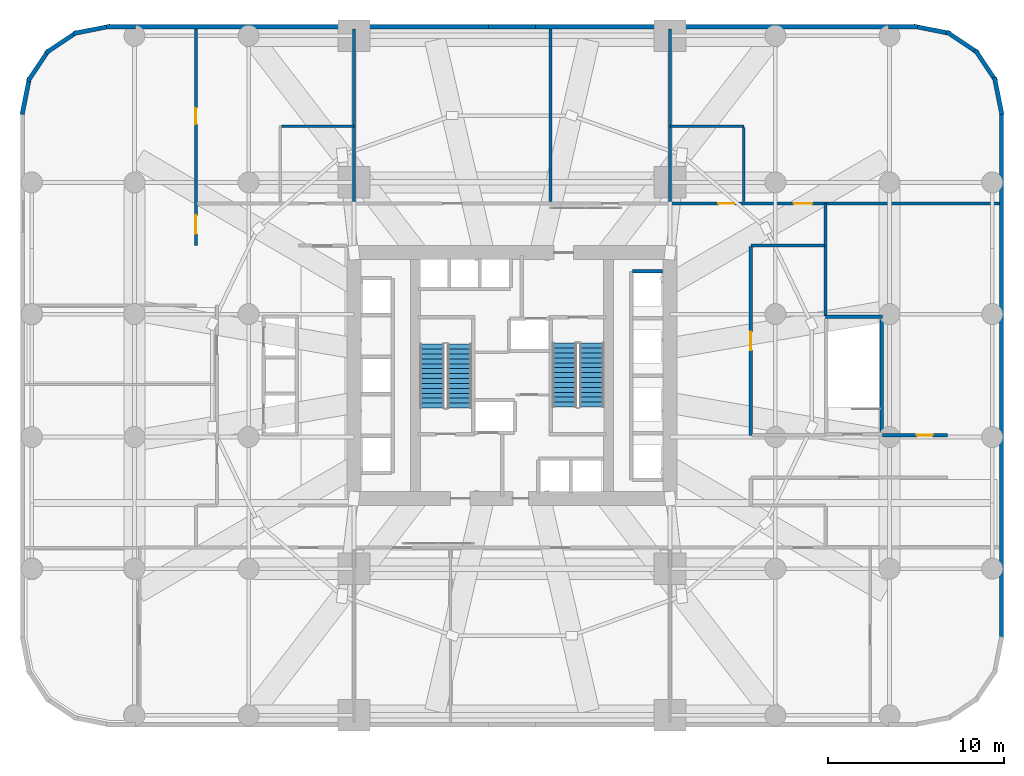
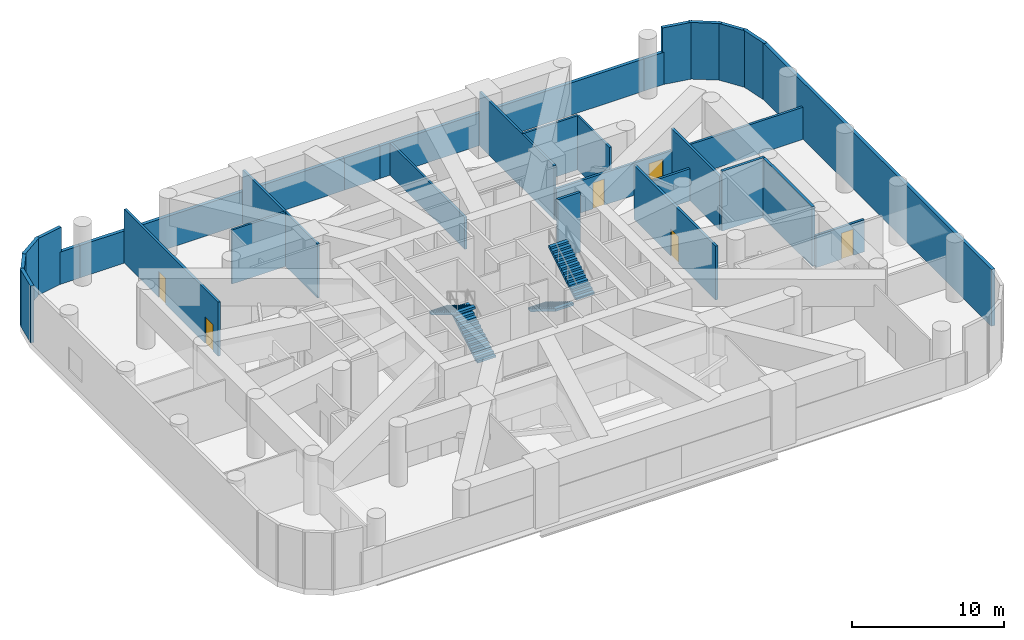
# One storey, part 8 of 10: 29 walls, 6 doors, 4 stair flights, 6 openings, 2 elements without a shape of their own.
"""IFC4 building model written with IfcOpenShell, lengths in metres."""

from ifc_helpers import new_model, si_unit, direction, frame, frame_2d, origin, place, context, subcontext, project, spatial, polyline, rectangle, outline, extrude, material, layer, layer_set, type_object, element, fill, aggregate, save


model = new_model("IFC4")

# Units and contexts
model_context = context("Model", 3, precision=1e-05, world=origin(), true_north=direction((0.0, 1.0)))
body_context = subcontext(model_context, "Body", "Model", "MODEL_VIEW")
ifc_project = project(units=[si_unit("LENGTHUNIT", "METRE"), si_unit("AREAUNIT", "SQUARE_METRE"), si_unit("VOLUMEUNIT", "CUBIC_METRE"), si_unit("PLANEANGLEUNIT", "RADIAN"), si_unit("MASSUNIT", "GRAM", prefix="KILO")], contexts=[model_context])

# Site, building, storey
site_placement = place(None, origin())
site = spatial("IfcSite", under=ifc_project, at=site_placement, CompositionType="ELEMENT")
building_placement = place(site_placement, origin())
building = spatial("IfcBuilding", under=site, at=building_placement, Name="Veldorim Arch Residences", CompositionType="ELEMENT")
storey_placement = place(building_placement, frame((0.0, 0.0, 20.0)))
storey = spatial("IfcBuildingStorey", under=building, at=storey_placement, Name="L05", CompositionType="ELEMENT", Elevation=20.0)

# Wall, openings, doors
ifc_material_1 = material(Name="Lightweight Masonry Block & Gypsum", Category="masonry")
ifc_layer_1 = layer(ifc_material_1, 0.179931640625, Name="Compartment & Corridor Fire-Rated Party Wall 180")
ifc_layer_set_1 = layer_set([ifc_layer_1], Name="Lightweight Masonry Block & Gypsum")
wall_type_1 = type_object("IfcWallType", Name="Compartment & Corridor Fire-Rated Party Wall 180", PredefinedType="PARTITIONING", material=ifc_layer_set_1)
wall_1_placement = place(storey_placement, frame((14.0, 31.39990234375, 0.0), z_axis=(0.0, 0.0, 1.0), x_axis=(0.0, 1.0, 0.0)))
wall_1 = element("IfcWall", 1, at=wall_1_placement, inside=storey, type_object=wall_type_1, Name="L05 interior wall WL-POD-L05-005", PredefinedType="PARTITIONING", context=body_context, shape_type="SweptSolid", body=[
    extrude(rectangle(XDim=12.35009765625, YDim=0.179931640625, at=frame_2d((6.175048828125, 0.0))), origin(), (0.0, 0.0, 1.0), 4.344970703125),
])
opening_1_placement = place(wall_1_placement, frame((0.675048828125, 0.0, 0.0)))
opening_1 = element("IfcOpeningElement", 2, at=opening_1_placement, cuts=wall_1, Name="Opening DR-CLN", PredefinedType="OPENING", context=body_context, shape_type="SweptSolid", body=[
    extrude(rectangle(XDim=1.050048828125, YDim=2.14990234375, at=frame_2d((0.52490234375, 1.074951171875))), frame((0.0, 0.099853515625, 0.0), z_axis=(0.0, -1.0, 0.0), x_axis=(1.0, 0.0, 0.0)), (0.0, 0.0, 1.0), 0.199951171875),
])
opening_2_placement = place(wall_1_placement, frame((6.925048828125, 0.0, 0.0)))
opening_2 = element("IfcOpeningElement", 3, at=opening_2_placement, cuts=wall_1, Name="Opening DR-SVC", PredefinedType="OPENING", context=body_context, shape_type="SweptSolid", body=[
    extrude(rectangle(XDim=0.89990234375, YDim=2.10009765625, at=frame_2d((0.449951171875, 1.050048828125))), frame((0.0, 0.099853515625, 0.0), z_axis=(0.0, -1.0, 0.0), x_axis=(1.0, 0.0, 0.0)), (0.0, 0.0, 1.0), 0.199951171875),
])
ifc_material_2 = material(Name="Timber & Vision Panel", Category="wood")
door_type_1 = type_object("IfcDoorType", Name="Polyclinic Wheelchair-Accessible Consultation Door 1050x2150", OperationType="SINGLE_SWING_LEFT", PredefinedType="DOOR", material=ifc_material_2)
door_1_placement = place(opening_1_placement, origin())
door_1 = element("IfcDoor", 4, at=door_1_placement, inside=storey, type_object=door_type_1, Name="L05 interior door DR-POD-L05-005", OperationType="SINGLE_SWING_LEFT", OverallHeight=2.14990234375, OverallWidth=1.050048828125, PredefinedType="DOOR", context=body_context, shape_type="SweptSolid", body=[
    extrude(rectangle(XDim=1.050048828125, YDim=2.14990234375, at=frame_2d((0.52490234375, 1.074951171875))), frame((0.0, 0.02490234375, 0.0), z_axis=(0.0, -1.0, 0.0), x_axis=(1.0, 0.0, 0.0)), (0.0, 0.0, 1.0), 0.050048828125),
])
fill(opening_1, door_1)
ifc_material_3 = material(Name="Fire-Rated Steel", Category="steel")
door_type_2 = type_object("IfcDoorType", Name="Riser, Shelter & Plant Room Rated Steel Door 900x2100", OperationType="SINGLE_SWING_LEFT", PredefinedType="DOOR", material=ifc_material_3)
door_2_placement = place(opening_2_placement, origin())
door_2 = element("IfcDoor", 5, at=door_2_placement, inside=storey, type_object=door_type_2, Name="L05 interior door DR-POD-L05-007", OperationType="SINGLE_SWING_LEFT", OverallHeight=2.10009765625, OverallWidth=0.89990234375, PredefinedType="DOOR", context=body_context, shape_type="SweptSolid", body=[
    extrude(rectangle(XDim=0.89990234375, YDim=2.10009765625, at=frame_2d((0.449951171875, 1.050048828125))), frame((0.0, 0.02490234375, 0.0), z_axis=(0.0, -1.0, 0.0), x_axis=(1.0, 0.0, 0.0)), (0.0, 0.0, 1.0), 0.050048828125),
])
fill(opening_2, door_2)

# Wall
wall_2_placement = place(storey_placement, frame((49.85009765625, 33.800048828125, 0.0), z_axis=(0.0, 0.0, 1.0), x_axis=(0.0, -1.0, 0.0)))
element("IfcWall", 6, at=wall_2_placement, inside=storey, type_object=wall_type_1, Name="L05 interior wall WL-POD-L05-015", PredefinedType="PARTITIONING", context=body_context, shape_type="SweptSolid", body=[
    extrude(rectangle(XDim=6.400146484375, YDim=0.179931640625, at=frame_2d((3.2001953125, 0.0))), origin(), (0.0, 0.0, 1.0), 4.344970703125),
])

# Wall, opening, door
wall_3_placement = place(storey_placement, frame((53.10009765625, 20.60009765625, 0.0), z_axis=(0.0, 0.0, 1.0), x_axis=(1.0, 0.0, 0.0)))
wall_3 = element("IfcWall", 7, at=wall_3_placement, inside=storey, type_object=wall_type_1, Name="L05 interior wall WL-POD-L05-016", PredefinedType="PARTITIONING", context=body_context, shape_type="SweptSolid", body=[
    extrude(rectangle(XDim=3.699951171875, YDim=0.179931640625, at=frame_2d((1.85009765625, 0.0))), origin(), (0.0, 0.0, 1.0), 2.587890625),
])
opening_3_placement = place(wall_3_placement, frame((1.9599609375, 0.0, 0.0)))
opening_3 = element("IfcOpeningElement", 8, at=opening_3_placement, cuts=wall_3, Name="Opening DR-SVC", PredefinedType="OPENING", context=body_context, shape_type="SweptSolid", body=[
    extrude(rectangle(XDim=0.89990234375, YDim=2.10009765625, at=frame_2d((0.449951171875, 1.050048828125))), frame((0.0, 0.099853515625, 0.0), z_axis=(0.0, -1.0, 0.0), x_axis=(1.0, 0.0, 0.0)), (0.0, 0.0, 1.0), 0.199951171875),
])
door_3_placement = place(opening_3_placement, origin())
door_3 = element("IfcDoor", 9, at=door_3_placement, inside=storey, type_object=door_type_2, Name="L05 interior door DR-POD-L05-012", OperationType="SINGLE_SWING_RIGHT", OverallHeight=2.10009765625, OverallWidth=0.89990234375, PredefinedType="DOOR", context=body_context, shape_type="SweptSolid", body=[
    extrude(rectangle(XDim=0.89990234375, YDim=2.10009765625, at=frame_2d((0.449951171875, 1.050048828125))), frame((0.0, 0.02490234375, 0.0), z_axis=(0.0, -1.0, 0.0), x_axis=(1.0, 0.0, 0.0)), (0.0, 0.0, 1.0), 0.050048828125),
])
fill(opening_3, door_3)

# Wall
wall_4_placement = place(storey_placement, frame((49.7900390625, 31.39990234375, 0.0), z_axis=(0.0, 0.0, 1.0), x_axis=(-1.0, 0.0, 0.0)))
element("IfcWall", 10, at=wall_4_placement, inside=storey, type_object=wall_type_1, Name="L05 interior wall WL-POD-L05-017", PredefinedType="PARTITIONING", context=body_context, shape_type="SweptSolid", body=[
    extrude(rectangle(XDim=4.18994140625, YDim=0.179931640625, at=frame_2d((2.094970703125, 0.0))), origin(), (0.0, 0.0, 1.0), 2.587890625),
])

# Wall, opening, door
wall_5_placement = place(storey_placement, frame((45.60009765625, 31.340087890625, 0.0), z_axis=(0.0, 0.0, 1.0), x_axis=(0.0, -1.0, 0.0)))
wall_5 = element("IfcWall", 11, at=wall_5_placement, inside=storey, type_object=wall_type_1, Name="L05 interior wall WL-POD-L05-018", PredefinedType="PARTITIONING", context=body_context, shape_type="SweptSolid", body=[
    extrude(rectangle(XDim=10.739990234375, YDim=0.179931640625, at=frame_2d((5.3701171875, 0.0))), origin(), (0.0, 0.0, 1.0), 4.344970703125),
])
opening_4_placement = place(wall_5_placement, frame((4.844970703125, 0.0, 0.0)))
opening_4 = element("IfcOpeningElement", 12, at=opening_4_placement, cuts=wall_5, Name="Opening DR-CLN", PredefinedType="OPENING", context=body_context, shape_type="SweptSolid", body=[
    extrude(rectangle(XDim=1.050048828125, YDim=2.14990234375, at=frame_2d((0.52490234375, 1.074951171875))), frame((0.0, 0.099853515625, 0.0), z_axis=(0.0, -1.0, 0.0), x_axis=(1.0, 0.0, 0.0)), (0.0, 0.0, 1.0), 0.199951171875),
])
door_4_placement = place(opening_4_placement, origin())
door_4 = element("IfcDoor", 13, at=door_4_placement, inside=storey, type_object=door_type_1, Name="L05 interior door DR-POD-L05-013", OperationType="SINGLE_SWING_LEFT", OverallHeight=2.14990234375, OverallWidth=1.050048828125, PredefinedType="DOOR", context=body_context, shape_type="SweptSolid", body=[
    extrude(rectangle(XDim=1.050048828125, YDim=2.14990234375, at=frame_2d((0.52490234375, 1.074951171875))), frame((0.0, 0.02490234375, 0.0), z_axis=(0.0, -1.0, 0.0), x_axis=(1.0, 0.0, 0.0)), (0.0, 0.0, 1.0), 0.050048828125),
])
fill(opening_4, door_4)

# Wall, openings, doors
wall_6_placement = place(storey_placement, frame((40.97998046875, 33.800048828125, 0.0), z_axis=(0.0, 0.0, 1.0), x_axis=(1.0, 0.0, 0.0)))
wall_6 = element("IfcWall", 14, at=wall_6_placement, inside=storey, type_object=wall_type_1, Name="L05 interior wall WL-POD-L05-020", PredefinedType="PARTITIONING", context=body_context, shape_type="SweptSolid", body=[
    extrude(rectangle(XDim=18.77001953125, YDim=0.179931640625, at=frame_2d((9.385009765625, 0.0))), origin(), (0.0, 0.0, 1.0), 2.587890625),
])
opening_5_placement = place(wall_6_placement, frame((2.780029296875, 0.0, 0.0)))
opening_5 = element("IfcOpeningElement", 15, at=opening_5_placement, cuts=wall_6, Name="Opening DR-WC", PredefinedType="OPENING", context=body_context, shape_type="SweptSolid", body=[
    extrude(rectangle(XDim=0.89990234375, YDim=2.10009765625, at=frame_2d((0.449951171875, 1.050048828125))), frame((0.0, 0.099853515625, 0.0), z_axis=(0.0, -1.0, 0.0), x_axis=(1.0, 0.0, 0.0)), (0.0, 0.0, 1.0), 0.199951171875),
])
opening_6_placement = place(wall_6_placement, frame((7.06005859375, 0.0, 0.0)))
opening_6 = element("IfcOpeningElement", 16, at=opening_6_placement, cuts=wall_6, Name="Opening DR-CLN", PredefinedType="OPENING", context=body_context, shape_type="SweptSolid", body=[
    extrude(rectangle(XDim=1.050048828125, YDim=2.14990234375, at=frame_2d((0.52490234375, 1.074951171875))), frame((0.0, 0.099853515625, 0.0), z_axis=(0.0, -1.0, 0.0), x_axis=(1.0, 0.0, 0.0)), (0.0, 0.0, 1.0), 0.199951171875),
])
ifc_material_4 = material(Name="Laminate Timber", Category="wood")
door_type_3 = type_object("IfcDoorType", Name="Bathroom & Accessible WC Moisture-Sealed Door 900x2100", OperationType="SINGLE_SWING_LEFT", PredefinedType="DOOR", material=ifc_material_4)
door_5_placement = place(opening_5_placement, origin())
door_5 = element("IfcDoor", 17, at=door_5_placement, inside=storey, type_object=door_type_3, Name="L05 interior door DR-POD-L05-014", OperationType="SINGLE_SWING_RIGHT", OverallHeight=2.10009765625, OverallWidth=0.89990234375, PredefinedType="DOOR", context=body_context, shape_type="SweptSolid", body=[
    extrude(rectangle(XDim=0.89990234375, YDim=2.10009765625, at=frame_2d((0.449951171875, 1.050048828125))), frame((0.0, 0.02490234375, 0.0), z_axis=(0.0, -1.0, 0.0), x_axis=(1.0, 0.0, 0.0)), (0.0, 0.0, 1.0), 0.050048828125),
])
fill(opening_5, door_5)
door_6_placement = place(opening_6_placement, origin())
door_6 = element("IfcDoor", 18, at=door_6_placement, inside=storey, type_object=door_type_1, Name="L05 interior door DR-POD-L05-015", OperationType="SINGLE_SWING_LEFT", OverallHeight=2.14990234375, OverallWidth=1.050048828125, PredefinedType="DOOR", context=body_context, shape_type="SweptSolid", body=[
    extrude(rectangle(XDim=1.050048828125, YDim=2.14990234375, at=frame_2d((0.52490234375, 1.074951171875))), frame((0.0, 0.02490234375, 0.0), z_axis=(0.0, -1.0, 0.0), x_axis=(1.0, 0.0, 0.0)), (0.0, 0.0, 1.0), 0.050048828125),
])
fill(opening_6, door_6)

# Walls
ifc_material_5 = material(Name="Concrete C50/60", Category="concrete")
ifc_layer_2 = layer(ifc_material_5, 0.199951171875, Name="Core Stair & Lift Shaft Enclosure Wall 200")
ifc_layer_set_2 = layer_set([ifc_layer_2], Name="Concrete C50/60")
wall_type_2 = type_object("IfcWallType", Name="Core Stair & Lift Shaft Enclosure Wall 200", PredefinedType="SHEAR", material=ifc_layer_set_2)
wall_7_placement = place(storey_placement, frame((38.8701171875, 29.93994140625, 0.0), z_axis=(0.0, 0.0, 1.0), x_axis=(1.0, 0.0, 0.0)))
element("IfcWall", 19, at=wall_7_placement, inside=storey, type_object=wall_type_2, Name="L05 shaft wall WL-B1-L05-N", PredefinedType="SHEAR", context=body_context, shape_type="SweptSolid", body=[
    extrude(rectangle(XDim=1.7099609375, YDim=0.199951171875, at=frame_2d((0.85498046875, 0.0))), origin(), (0.0, 0.0, 1.0), 4.800048828125),
])
wall_8_placement = place(storey_placement, frame((53.06005859375, 20.760009765625, 0.0), z_axis=(0.0, 0.0, 1.0), x_axis=(0.0, 1.0, 0.0)))
element("IfcWall", 20, at=wall_8_placement, inside=storey, type_object=wall_type_2, Name="L05 shaft wall WL-SHF-L05-ST3-E", PredefinedType="SHEAR", context=body_context, shape_type="SweptSolid", body=[
    extrude(rectangle(XDim=6.47998046875, YDim=0.199951171875, at=frame_2d((3.239990234375, 0.0))), origin(), (0.0, 0.0, 1.0), 4.800048828125),
])
wall_9_placement = place(storey_placement, frame((49.85009765625, 27.35009765625, 0.0), z_axis=(0.0, 0.0, 1.0), x_axis=(1.0, 0.0, 0.0)))
element("IfcWall", 21, at=wall_9_placement, inside=storey, type_object=wall_type_2, Name="L05 shaft wall WL-SHF-L05-ST3-N", PredefinedType="SHEAR", context=body_context, shape_type="SweptSolid", body=[
    extrude(rectangle(XDim=3.260009765625, YDim=0.199951171875, at=frame_2d((1.6298828125, 0.0))), origin(), (0.0, 0.0, 1.0), 4.800048828125),
])
ifc_material_6 = material(Name="Precast concrete C40/50", Category="concrete")
ifc_layer_3 = layer(ifc_material_6, 0.25, Name="Podium Terracotta Insulated Facade Wall 250")
ifc_layer_set_3 = layer_set([ifc_layer_3], Name="Precast concrete C40/50")
wall_type_3 = type_object("IfcWallType", Name="Podium Terracotta Insulated Facade Wall 250", PredefinedType="SOLIDWALL", material=ifc_layer_set_3)
wall_10_placement = place(storey_placement, frame((59.875, 39.10009765625, 0.0), z_axis=(0.0, 0.0, 1.0), x_axis=(0.0, -1.0, 0.0)))
element("IfcWall", 22, at=wall_10_placement, inside=storey, type_object=wall_type_3, Name="L05 podium terracotta facade wall 04", PredefinedType="SOLIDWALL", context=body_context, shape_type="SweptSolid", body=[
    extrude(rectangle(XDim=30.2001953125, YDim=0.25, at=frame_2d((15.10009765625, 0.0))), origin(), (0.0, 0.0, 1.0), 4.56005859375),
])
wall_11_placement = place(storey_placement, frame((59.477294921875, 40.987060546875, 0.0), z_axis=(0.0, 0.0, 1.0), x_axis=(0.195111965738, -0.980780974951, 0.0)))
element("IfcWall", 23, at=wall_11_placement, inside=storey, type_object=wall_type_3, Name="L05 podium terracotta facade wall 05", PredefinedType="SOLIDWALL", context=body_context, shape_type="SweptSolid", body=[
    extrude(rectangle(XDim=2.15087890625, YDim=0.25, at=frame_2d((1.075439453125, 0.0))), origin(), (0.0, 0.0, 1.0), 4.56005859375),
])
for number, where, z_axis, x_axis, name in (
    (24, (58.3759765625, 42.54931640625, 0.0), (0.0, 0.0, 1.0), (0.555564214653, -0.831473633615, 0.0), "L05 podium terracotta facade wall 06"),
    (25, (56.7607421875, 43.571044921875, 0.0), (0.0, 0.0, 1.0), (0.831473633615, -0.555564214653, 0.0), "L05 podium terracotta facade wall 07"),
):
    element("IfcWall", number, at=place(storey_placement, frame(where, z_axis=z_axis, x_axis=x_axis)), inside=storey, type_object=wall_type_3, Name=name, PredefinedType="SOLIDWALL", context=body_context, shape_type="SweptSolid", body=[
        extrude(rectangle(XDim=2.151123046875, YDim=0.25, at=frame_2d((1.07568359375, 0.0))), origin(), (0.0, 0.0, 1.0), 4.56005859375),
    ])
wall_12_placement = place(storey_placement, frame((54.87744140625, 43.89697265625, 0.0), z_axis=(0.0, 0.0, 1.0), x_axis=(0.980780974951, -0.195111965738, 0.0)))
element("IfcWall", 26, at=wall_12_placement, inside=storey, type_object=wall_type_3, Name="L05 podium terracotta facade wall 08", PredefinedType="SOLIDWALL", context=body_context, shape_type="SweptSolid", body=[
    extrude(rectangle(XDim=2.15087890625, YDim=0.25, at=frame_2d((1.075439453125, 0.0))), origin(), (0.0, 0.0, 1.0), 4.56005859375),
])
wall_13_placement = place(storey_placement, frame((8.89990234375, 43.875, 0.0), z_axis=(0.0, 0.0, 1.0), x_axis=(1.0, 0.0, 0.0)))
element("IfcWall", 27, at=wall_13_placement, inside=storey, type_object=wall_type_3, Name="L05 podium facade pier wall 09A", PredefinedType="SOLIDWALL", context=body_context, shape_type="SweptSolid", body=[
    extrude(rectangle(XDim=1.650146484375, YDim=0.25, at=frame_2d((0.8251953125, 0.0))), origin(), (0.0, 0.0, 1.0), 2.594970703125),
])
wall_14_placement = place(storey_placement, frame((30.64990234375, 43.875, 0.0), z_axis=(0.0, 0.0, 1.0), x_axis=(1.0, 0.0, 0.0)))
element("IfcWall", 28, at=wall_14_placement, inside=storey, type_object=wall_type_3, Name="L05 podium facade pier wall 09M", PredefinedType="SOLIDWALL", context=body_context, shape_type="SweptSolid", body=[
    extrude(rectangle(XDim=2.7001953125, YDim=0.25, at=frame_2d((1.35009765625, 0.0))), origin(), (0.0, 0.0, 1.0), 2.594970703125),
])
wall_15_placement = place(storey_placement, frame((53.449951171875, 43.875, 0.0), z_axis=(0.0, 0.0, 1.0), x_axis=(1.0, 0.0, 0.0)))
element("IfcWall", 29, at=wall_15_placement, inside=storey, type_object=wall_type_3, Name="L05 podium facade pier wall 09B", PredefinedType="SOLIDWALL", context=body_context, shape_type="SweptSolid", body=[
    extrude(rectangle(XDim=1.650146484375, YDim=0.25, at=frame_2d((0.8251953125, 0.0))), origin(), (0.0, 0.0, 1.0), 2.594970703125),
])
for number, where, z_axis, x_axis, name in (
    (30, (10.550048828125, 43.875, 0.0), (0.0, 0.0, 1.0), (1.0, 0.0, 0.0), "L05 podium facade wall 09C1"),
    (31, (33.35009765625, 43.875, 0.0), (0.0, 0.0, 1.0), (1.0, 0.0, 0.0), "L05 podium facade wall 09C2"),
):
    element("IfcWall", number, at=place(storey_placement, frame(where, z_axis=z_axis, x_axis=x_axis)), inside=storey, type_object=wall_type_3, Name=name, PredefinedType="SOLIDWALL", context=body_context, shape_type="SweptSolid", body=[
        extrude(rectangle(XDim=20.099853515625, YDim=0.25, at=frame_2d((10.0498046875, 0.0))), origin(), (0.0, 0.0, 1.0), 2.594970703125),
    ])
wall_16_placement = place(storey_placement, frame((7.012939453125, 43.477294921875, 0.0), z_axis=(0.0, 0.0, 1.0), x_axis=(0.980780974951, 0.195111965738, 0.0)))
element("IfcWall", 32, at=wall_16_placement, inside=storey, type_object=wall_type_3, Name="L05 podium terracotta facade wall 10", PredefinedType="SOLIDWALL", context=body_context, shape_type="SweptSolid", body=[
    extrude(rectangle(XDim=2.15087890625, YDim=0.25, at=frame_2d((1.075439453125, 0.0))), origin(), (0.0, 0.0, 1.0), 4.56005859375),
])
for number, where, z_axis, x_axis, name in (
    (33, (5.45068359375, 42.3759765625, 0.0), (0.0, 0.0, 1.0), (0.831473633615, 0.555564214653, 0.0), "L05 podium terracotta facade wall 11"),
    (34, (4.428955078125, 40.7607421875, 0.0), (0.0, 0.0, 1.0), (0.555564214653, 0.831473633615, 0.0), "L05 podium terracotta facade wall 12"),
):
    element("IfcWall", number, at=place(storey_placement, frame(where, z_axis=z_axis, x_axis=x_axis)), inside=storey, type_object=wall_type_3, Name=name, PredefinedType="SOLIDWALL", context=body_context, shape_type="SweptSolid", body=[
        extrude(rectangle(XDim=2.151123046875, YDim=0.25, at=frame_2d((1.07568359375, 0.0))), origin(), (0.0, 0.0, 1.0), 4.56005859375),
    ])
wall_17_placement = place(storey_placement, frame((4.10302734375, 38.87744140625, 0.0), z_axis=(0.0, 0.0, 1.0), x_axis=(0.195111965738, 0.980780974951, 0.0)))
element("IfcWall", 35, at=wall_17_placement, inside=storey, type_object=wall_type_3, Name="L05 podium terracotta facade wall 13", PredefinedType="SOLIDWALL", context=body_context, shape_type="SweptSolid", body=[
    extrude(rectangle(XDim=2.15087890625, YDim=0.25, at=frame_2d((1.075439453125, 0.0))), origin(), (0.0, 0.0, 1.0), 4.56005859375),
])
ifc_material_7 = material(Name="Moisture-Resistant Gypsum & Stud", Category="gypsum")
ifc_layer_4 = layer(ifc_material_7, 0.159912109375, Name="Wet-Area Moisture-Resistant Plumbing Wall 160")
ifc_layer_set_4 = layer_set([ifc_layer_4], Name="Moisture-Resistant Gypsum & Stud")
wall_type_4 = type_object("IfcWallType", Name="Wet-Area Moisture-Resistant Plumbing Wall 160", PredefinedType="PLUMBINGWALL", material=ifc_layer_set_4)
wall_18_placement = place(storey_placement, frame((18.860107421875, 38.199951171875, 0.0), z_axis=(0.0, 0.0, 1.0), x_axis=(1.0, 0.0, 0.0)))
element("IfcWall", 36, at=wall_18_placement, inside=storey, type_object=wall_type_4, Name="L05 interior wall WL-POD-L05-027", PredefinedType="PLUMBINGWALL", context=body_context, shape_type="SweptSolid", body=[
    extrude(rectangle(XDim=4.139892578125, YDim=0.159912109375, at=frame_2d((2.06982421875, 0.0))), origin(), (0.0, 0.0, 1.0), 4.344970703125),
])
wall_19_placement = place(storey_placement, frame((23.0, 43.75, 0.0), z_axis=(0.0, 0.0, 1.0), x_axis=(0.0, -1.0, 0.0)))
element("IfcWall", 37, at=wall_19_placement, inside=storey, type_object=wall_type_4, Name="L05 interior wall WL-POD-L05-028", PredefinedType="PLUMBINGWALL", context=body_context, shape_type="SweptSolid", body=[
    extrude(rectangle(XDim=9.85009765625, YDim=0.159912109375, at=frame_2d((4.925048828125, 0.0))), origin(), (0.0, 0.0, 1.0), 4.344970703125),
])
wall_20_placement = place(storey_placement, frame((41.0, 38.199951171875, 0.0), z_axis=(0.0, 0.0, 1.0), x_axis=(1.0, 0.0, 0.0)))
element("IfcWall", 38, at=wall_20_placement, inside=storey, type_object=wall_type_4, Name="L05 interior wall WL-POD-L05-031", PredefinedType="PLUMBINGWALL", context=body_context, shape_type="SweptSolid", body=[
    extrude(rectangle(XDim=4.199951171875, YDim=0.159912109375, at=frame_2d((2.10009765625, 0.0))), origin(), (0.0, 0.0, 1.0), 4.344970703125),
])
wall_21_placement = place(storey_placement, frame((45.199951171875, 38.139892578125, 0.0), z_axis=(0.0, 0.0, 1.0), x_axis=(0.0, -1.0, 0.0)))
element("IfcWall", 39, at=wall_21_placement, inside=storey, type_object=wall_type_4, Name="L05 interior wall WL-POD-L05-032", PredefinedType="PLUMBINGWALL", context=body_context, shape_type="SweptSolid", body=[
    extrude(rectangle(XDim=4.239990234375, YDim=0.159912109375, at=frame_2d((2.1201171875, 0.0))), origin(), (0.0, 0.0, 1.0), 4.344970703125),
])
wall_22_placement = place(storey_placement, frame((41.0, 33.89990234375, 0.0), z_axis=(0.0, 0.0, 1.0), x_axis=(0.0, 1.0, 0.0)))
element("IfcWall", 40, at=wall_22_placement, inside=storey, type_object=wall_type_4, Name="L05 interior wall WL-POD-L05-033", PredefinedType="PLUMBINGWALL", context=body_context, shape_type="SweptSolid", body=[
    extrude(rectangle(XDim=9.85009765625, YDim=0.159912109375, at=frame_2d((4.925048828125, 0.0))), origin(), (0.0, 0.0, 1.0), 4.344970703125),
])
wall_23_placement = place(storey_placement, frame((34.199951171875, 43.75, 0.0), z_axis=(0.0, 0.0, 1.0), x_axis=(0.0, -1.0, 0.0)))
element("IfcWall", 41, at=wall_23_placement, inside=storey, type_object=wall_type_4, Name="L05 interior wall WL-POD-L05-035", PredefinedType="PLUMBINGWALL", context=body_context, shape_type="SweptSolid", body=[
    extrude(rectangle(XDim=9.85009765625, YDim=0.159912109375, at=frame_2d((4.925048828125, 0.0))), origin(), (0.0, 0.0, 1.0), 2.587890625),
])

# Stair, stair flights
ifc_material_8 = material(Name="Concrete C40/50", Category="concrete")
stair_type = type_object("IfcStairType", Name="Reinforced Concrete Dogleg Exit Staircase", PredefinedType="HALF_TURN_STAIR", material=ifc_material_8)
stair_1_placement = place(storey_placement, origin())
stair_1 = element("IfcStair", 42, at=stair_1_placement, inside=storey, type_object=stair_type, Name="L05 Exit Staircase ST-1", PredefinedType="HALF_TURN_STAIR")
ifc_material_9 = material(Name="Concrete C40/50", Category="concrete")
stair_flight_type = type_object("IfcStairFlightType", Name="Reinforced Concrete Stair Flight 1400", PredefinedType="STRAIGHT", material=ifc_material_9)
stair_flight_1_placement = place(storey_placement, frame((29.010009765625, 22.14990234375, 0.0), z_axis=(0.0, 0.0, 1.0), x_axis=(0.0, 1.0, 0.0)))
stair_flight_1 = element("IfcStairFlight", 43, at=stair_flight_1_placement, type_object=stair_flight_type, Name="ST-1 flight 1", NumberOfRisers=14, NumberOfTreads=13, PredefinedType="STRAIGHT", RiserHeight=0.171428571, TreadLength=0.28, context=body_context, shape_type="SweptSolid", body=[
    extrude(outline(polyline([(0.0, 0.0), (0.0, 0.17138671875), (0.280029296875, 0.17138671875), (0.280029296875, 0.3427734375), (0.56005859375, 0.3427734375), (0.56005859375, 0.514404296875), (0.840087890625, 0.514404296875), (0.840087890625, 0.685791015625), (1.1201171875, 0.685791015625), (1.1201171875, 0.857177734375), (1.39990234375, 0.857177734375), (1.39990234375, 1.028564453125), (1.679931640625, 1.028564453125), (1.679931640625, 1.199951171875), (1.9599609375, 1.199951171875), (1.9599609375, 1.371337890625), (2.239990234375, 1.371337890625), (2.239990234375, 1.54296875), (2.52001953125, 1.54296875), (2.52001953125, 1.71435546875), (2.800048828125, 1.71435546875), (2.800048828125, 1.8857421875), (3.080078125, 1.8857421875), (3.080078125, 2.05712890625), (3.360107421875, 2.05712890625), (3.360107421875, 2.228515625), (3.639892578125, 2.228515625), (3.639892578125, 2.39990234375), (3.639892578125, 2.041015625), (0.30615234375, 0.0), (0.0, 0.0)])), frame((0.0, 0.699951171875, 0.0), z_axis=(0.0, -1.0, 0.0), x_axis=(1.0, 0.0, 0.0)), (0.0, 0.0, 1.0), 1.39990234375),
])
stair_flight_2_placement = place(storey_placement, frame((27.449951171875, 25.7900390625, 2.39990234375), z_axis=(0.0, 0.0, 1.0), x_axis=(0.0, -1.0, 0.0)))
stair_flight_2 = element("IfcStairFlight", 44, at=stair_flight_2_placement, type_object=stair_flight_type, Name="ST-1 flight 2", NumberOfRisers=14, NumberOfTreads=13, PredefinedType="STRAIGHT", RiserHeight=0.171428571, TreadLength=0.28, context=body_context, shape_type="SweptSolid", body=[
    extrude(outline(polyline([(0.0, 0.0), (0.0, 0.17138671875), (0.280029296875, 0.17138671875), (0.280029296875, 0.3427734375), (0.56005859375, 0.3427734375), (0.56005859375, 0.514404296875), (0.840087890625, 0.514404296875), (0.840087890625, 0.685791015625), (1.1201171875, 0.685791015625), (1.1201171875, 0.857177734375), (1.39990234375, 0.857177734375), (1.39990234375, 1.028564453125), (1.679931640625, 1.028564453125), (1.679931640625, 1.199951171875), (1.9599609375, 1.199951171875), (1.9599609375, 1.371337890625), (2.239990234375, 1.371337890625), (2.239990234375, 1.54296875), (2.52001953125, 1.54296875), (2.52001953125, 1.71435546875), (2.800048828125, 1.71435546875), (2.800048828125, 1.8857421875), (3.080078125, 1.8857421875), (3.080078125, 2.05712890625), (3.360107421875, 2.05712890625), (3.360107421875, 2.228515625), (3.639892578125, 2.228515625), (3.639892578125, 2.39990234375), (3.639892578125, 2.041015625), (0.30615234375, 0.0), (0.0, 0.0)])), frame((0.0, 0.699951171875, 0.0), z_axis=(0.0, -1.0, 0.0), x_axis=(1.0, 0.0, 0.0)), (0.0, 0.0, 1.0), 1.39990234375),
])
aggregate(stair_1, [stair_flight_1, stair_flight_2])

stair_2_placement = place(storey_placement, origin())
stair_2 = element("IfcStair", 45, at=stair_2_placement, inside=storey, type_object=stair_type, Name="L05 Exit Staircase ST-2", PredefinedType="HALF_TURN_STAIR")
stair_flight_3_placement = place(storey_placement, frame((34.989990234375, 25.85009765625, 0.0), z_axis=(0.0, 0.0, 1.0), x_axis=(0.0, -1.0, 0.0)))
stair_flight_3 = element("IfcStairFlight", 46, at=stair_flight_3_placement, type_object=stair_flight_type, Name="ST-2 flight 1", NumberOfRisers=14, NumberOfTreads=13, PredefinedType="STRAIGHT", RiserHeight=0.171428571, TreadLength=0.28, context=body_context, shape_type="SweptSolid", body=[
    extrude(outline(polyline([(0.0, 0.0), (0.0, 0.17138671875), (0.280029296875, 0.17138671875), (0.280029296875, 0.3427734375), (0.56005859375, 0.3427734375), (0.56005859375, 0.514404296875), (0.840087890625, 0.514404296875), (0.840087890625, 0.685791015625), (1.1201171875, 0.685791015625), (1.1201171875, 0.857177734375), (1.39990234375, 0.857177734375), (1.39990234375, 1.028564453125), (1.679931640625, 1.028564453125), (1.679931640625, 1.199951171875), (1.9599609375, 1.199951171875), (1.9599609375, 1.371337890625), (2.239990234375, 1.371337890625), (2.239990234375, 1.54296875), (2.52001953125, 1.54296875), (2.52001953125, 1.71435546875), (2.800048828125, 1.71435546875), (2.800048828125, 1.8857421875), (3.080078125, 1.8857421875), (3.080078125, 2.05712890625), (3.360107421875, 2.05712890625), (3.360107421875, 2.228515625), (3.639892578125, 2.228515625), (3.639892578125, 2.39990234375), (3.639892578125, 2.041015625), (0.30615234375, 0.0), (0.0, 0.0)])), frame((0.0, 0.699951171875, 0.0), z_axis=(0.0, -1.0, 0.0), x_axis=(1.0, 0.0, 0.0)), (0.0, 0.0, 1.0), 1.39990234375),
])
stair_flight_4_placement = place(storey_placement, frame((36.550048828125, 22.2099609375, 2.39990234375), z_axis=(0.0, 0.0, 1.0), x_axis=(0.0, 1.0, 0.0)))
stair_flight_4 = element("IfcStairFlight", 47, at=stair_flight_4_placement, type_object=stair_flight_type, Name="ST-2 flight 2", NumberOfRisers=14, NumberOfTreads=13, PredefinedType="STRAIGHT", RiserHeight=0.171428571, TreadLength=0.28, context=body_context, shape_type="SweptSolid", body=[
    extrude(outline(polyline([(0.0, 0.0), (0.0, 0.17138671875), (0.280029296875, 0.17138671875), (0.280029296875, 0.3427734375), (0.56005859375, 0.3427734375), (0.56005859375, 0.514404296875), (0.840087890625, 0.514404296875), (0.840087890625, 0.685791015625), (1.1201171875, 0.685791015625), (1.1201171875, 0.857177734375), (1.39990234375, 0.857177734375), (1.39990234375, 1.028564453125), (1.679931640625, 1.028564453125), (1.679931640625, 1.199951171875), (1.9599609375, 1.199951171875), (1.9599609375, 1.371337890625), (2.239990234375, 1.371337890625), (2.239990234375, 1.54296875), (2.52001953125, 1.54296875), (2.52001953125, 1.71435546875), (2.800048828125, 1.71435546875), (2.800048828125, 1.8857421875), (3.080078125, 1.8857421875), (3.080078125, 2.05712890625), (3.360107421875, 2.05712890625), (3.360107421875, 2.228515625), (3.639892578125, 2.228515625), (3.639892578125, 2.39990234375), (3.639892578125, 2.041015625), (0.30615234375, 0.0), (0.0, 0.0)])), frame((0.0, 0.699951171875, 0.0), z_axis=(0.0, -1.0, 0.0), x_axis=(1.0, 0.0, 0.0)), (0.0, 0.0, 1.0), 1.39990234375),
])
aggregate(stair_2, [stair_flight_3, stair_flight_4])

save(model, "model.ifc")
